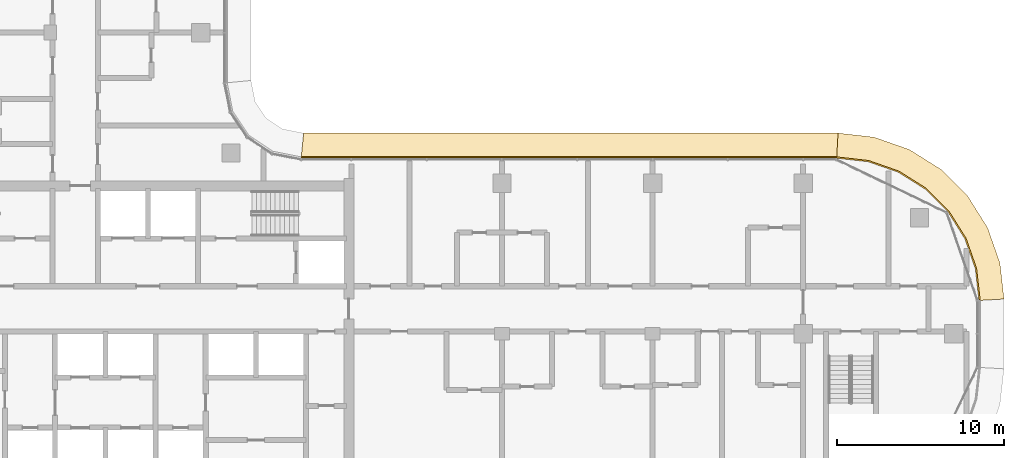
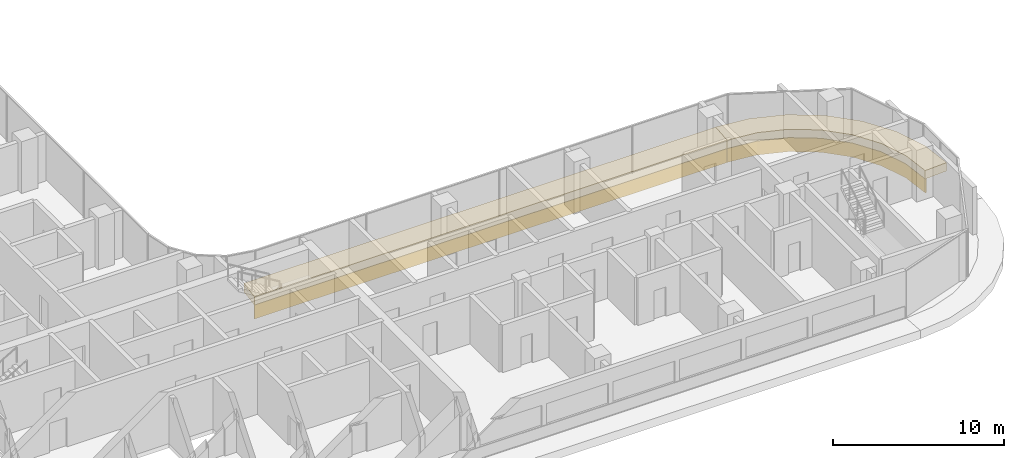
# One storey, part 22 of 24: 4 coverings.
"""IFC4 building model written with IfcOpenShell, lengths in metres."""

from ifc_helpers import new_model, si_unit, direction, frame, origin, place, context, subcontext, project, spatial, polyline, outline, extrude, material, layer, layer_set, type_object, element, save


model = new_model("IFC4")

# Units and contexts
model_context = context("Model", 3, precision=1e-05, world=origin(), true_north=direction((0.0, 1.0)))
body_context = subcontext(model_context, "Body", "Model", "MODEL_VIEW")
ifc_project = project(units=[si_unit("LENGTHUNIT", "METRE"), si_unit("AREAUNIT", "SQUARE_METRE"), si_unit("VOLUMEUNIT", "CUBIC_METRE"), si_unit("PLANEANGLEUNIT", "RADIAN"), si_unit("MASSUNIT", "GRAM", prefix="KILO")], contexts=[model_context])

# Site, building, storey
site_placement = place(None, origin())
site = spatial("IfcSite", under=ifc_project, at=site_placement, CompositionType="ELEMENT")
building_placement = place(site_placement, origin())
building = spatial("IfcBuilding", under=site, at=building_placement, Name="Ogive Portal Towers", CompositionType="ELEMENT")
storey_placement = place(building_placement, frame((0.0, 0.0, 142.199951171875)))
storey = spatial("IfcBuildingStorey", under=building, at=storey_placement, Name="L34", CompositionType="ELEMENT", Elevation=142.199951171875)

# Coverings
ifc_material = material(Name="Limestone cladding on lightweight block wall", Category="masonry")
ifc_layer_1 = layer(ifc_material, 0.080078125)
ifc_layer_set_1 = layer_set([ifc_layer_1], Name="STONE SPANDREL 80")
covering_type_1 = type_object("IfcCoveringType", Name="STONE SPANDREL 80", PredefinedType="CLADDING", material=ifc_layer_set_1)
covering_1_placement = place(storey_placement, frame((0.0, 0.0, -1.599853515625)))
element("IfcCovering", 1, at=covering_1_placement, inside=storey, type_object=covering_type_1, Name="Stone spandrel A1-F08", PredefinedType="CLADDING", context=body_context, shape_type="SweptSolid", body=[
    extrude(outline(polyline([(96.0, 32.5), (95.786865234375, 34.391357421875), (95.158203125, 36.18798828125), (94.1455078125, 37.799560546875), (92.799560546875, 39.1455078125), (91.18798828125, 40.158203125), (89.391357421875, 40.786865234375), (87.5, 41.0), (87.50439453125, 41.080078125), (89.409423828125, 40.865478515625), (91.222900390625, 40.230712890625), (92.849853515625, 39.20849609375), (94.20849609375, 37.849853515625), (95.230712890625, 36.222900390625), (95.865478515625, 34.409423828125), (96.080078125, 32.50439453125), (96.0, 32.5)])), origin(), (0.0, 0.0, 1.0), 1.0),
])
covering_2_placement = place(storey_placement, frame((0.0, 0.0, -1.599853515625)))
element("IfcCovering", 2, at=covering_2_placement, inside=storey, type_object=covering_type_1, Name="Stone spandrel A1-F09", PredefinedType="CLADDING", context=body_context, shape_type="SweptSolid", body=[
    extrude(outline(polyline([(87.5, 41.0), (55.5, 41.0), (55.5078125, 41.080078125), (87.50439453125, 41.080078125), (87.5, 41.0)])), origin(), (0.0, 0.0, 1.0), 1.0),
])
ifc_layer_2 = layer(ifc_material, 0.60009765625)
ifc_layer_set_2 = layer_set([ifc_layer_2], Name="SUNSHADE LIP 600")
covering_type_2 = type_object("IfcCoveringType", Name="SUNSHADE LIP 600", PredefinedType="CLADDING", material=ifc_layer_set_2)
covering_3_placement = place(storey_placement, frame((0.0, 0.0, -0.599853515625)))
element("IfcCovering", 3, at=covering_3_placement, inside=storey, type_object=covering_type_2, Name="Sunshade lip A1-F08", PredefinedType="CLADDING", context=body_context, shape_type="SweptSolid", body=[
    extrude(outline(polyline([(96.0, 32.5), (95.786865234375, 34.391357421875), (95.158203125, 36.18798828125), (94.1455078125, 37.799560546875), (92.799560546875, 39.1455078125), (91.18798828125, 40.158203125), (89.391357421875, 40.786865234375), (87.5, 41.0), (87.584228515625, 42.5), (89.727294921875, 42.258544921875), (91.843017578125, 41.518310546875), (93.74072265625, 40.32568359375), (95.32568359375, 38.74072265625), (96.518310546875, 36.843017578125), (97.258544921875, 34.727294921875), (97.5, 32.584228515625), (96.0, 32.5)])), origin(), (0.0, 0.0, 1.0), 0.599853515625),
])
covering_4_placement = place(storey_placement, frame((0.0, 0.0, -0.599853515625)))
element("IfcCovering", 4, at=covering_4_placement, inside=storey, type_object=covering_type_2, Name="Sunshade lip A1-F09", PredefinedType="CLADDING", context=body_context, shape_type="SweptSolid", body=[
    extrude(outline(polyline([(87.5, 41.0), (55.5, 41.0), (55.647705078125, 42.5), (87.584228515625, 42.5), (87.5, 41.0)])), origin(), (0.0, 0.0, 1.0), 0.599853515625),
])

save(model, "model.ifc")
